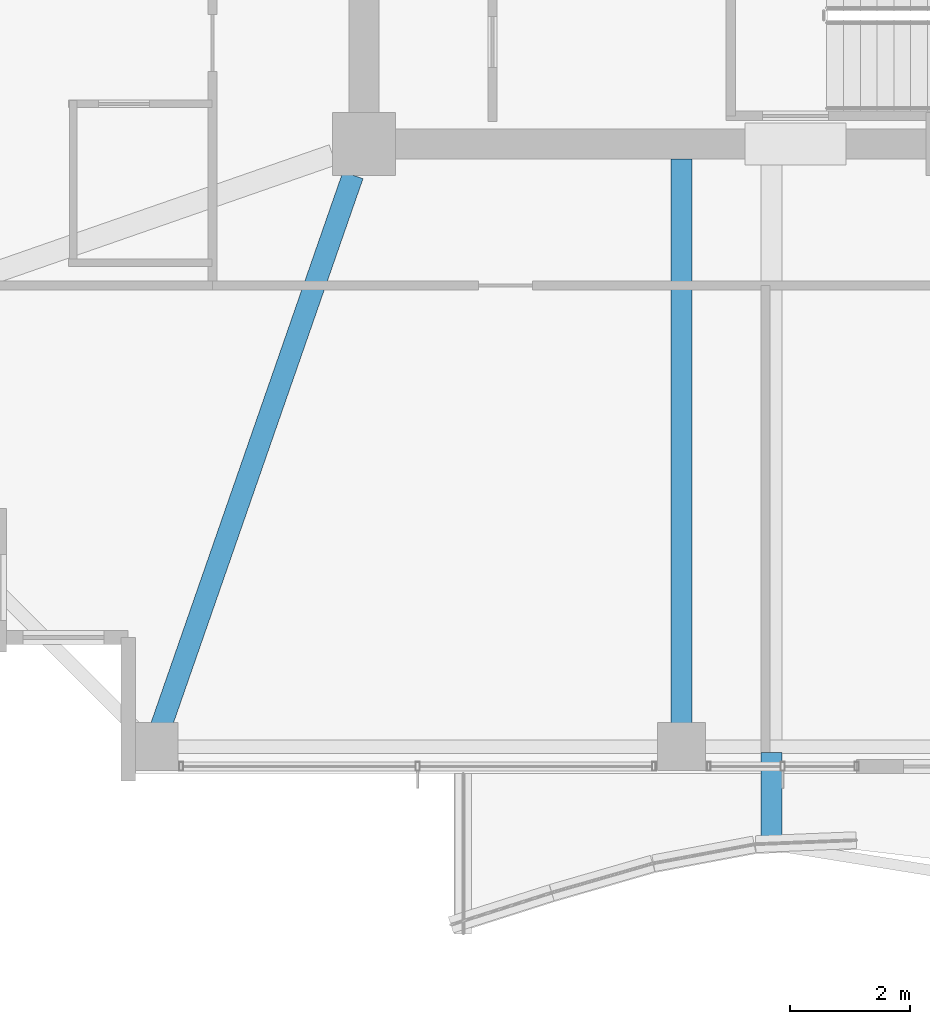
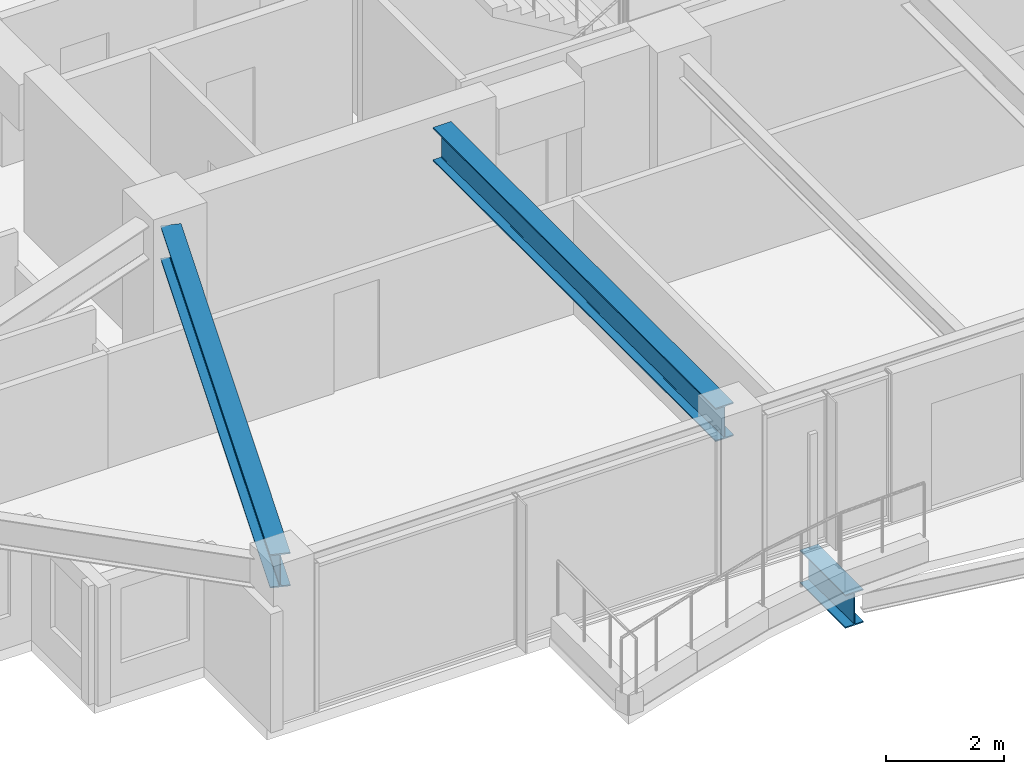
# One storey, part 5 of 36: 3 beams.
"""IFC4 building model written with IfcOpenShell, lengths in metres."""

from ifc_helpers import new_model, si_unit, direction, frame, origin, origin_2d, place, context, subcontext, project, spatial, i_section, extrude, material, material_profile, profile_set, type_object, element, save


model = new_model("IFC4")

# Units and contexts
model_context = context("Model", 3, precision=1e-05, world=origin(), true_north=direction((0.0, 1.0)))
body_context = subcontext(model_context, "Body", "Model", "MODEL_VIEW")
ifc_project = project(units=[si_unit("LENGTHUNIT", "METRE"), si_unit("AREAUNIT", "SQUARE_METRE"), si_unit("VOLUMEUNIT", "CUBIC_METRE"), si_unit("PLANEANGLEUNIT", "RADIAN"), si_unit("MASSUNIT", "GRAM", prefix="KILO")], contexts=[model_context])

# Site, building, storey
site_placement = place(None, origin())
site = spatial("IfcSite", under=ifc_project, at=site_placement, CompositionType="ELEMENT")
building_placement = place(site_placement, origin())
building = spatial("IfcBuilding", under=site, at=building_placement, Name="Kolvaren Belvedere", CompositionType="ELEMENT")
storey_placement = place(building_placement, frame((0.0, 0.0, 193.199951171875)))
storey = spatial("IfcBuildingStorey", under=building, at=storey_placement, Name="L56", CompositionType="ELEMENT", Elevation=193.199951171875)

# Beams
ifc_material_1 = material(Name="Structural steel ASTM A992 Grade 50", Category="steel")
ifc_material_profile_1 = material_profile(ifc_material_1, i_section(OverallWidth=0.35498046875, OverallDepth=0.696044921875, WebThickness=0.015380859375, FlangeThickness=0.02490234375, FilletRadius=0.02197265625, at=origin_2d()), Name="W27X146")
ifc_profile_set_1 = profile_set([ifc_material_profile_1], Name="Structural steel ASTM A992 Grade 50")
beam_type_1 = type_object("IfcBeamType", Name="BM-CANT-BAL", PredefinedType="BEAM", material=ifc_profile_set_1)
beam_1_placement = place(storey_placement, frame((-3.10009765625, -20.044921875, -0.56787109375), z_axis=(0.0, -1.0, 0.0), x_axis=(1.0, 0.0, 0.0)))
element("IfcBeam", 1, at=beam_1_placement, inside=storey, type_object=beam_type_1, Name="L56 Planted Balcony Cantilever BAL-S-1", PredefinedType="BEAM", context=body_context, shape_type="SweptSolid", body=[
    extrude(i_section(OverallWidth=0.35498046875, OverallDepth=0.696044921875, WebThickness=0.015380859375, FlangeThickness=0.02490234375, FilletRadius=0.02197265625, at=origin_2d()), origin(), (0.0, 0.0, 1.0), 1.54052734375),
])
ifc_material_2 = material(Name="Structural steel ASTM A992 Grade 50", Category="steel")
ifc_material_profile_2 = material_profile(ifc_material_2, i_section(OverallWidth=0.35498046875, OverallDepth=0.696044921875, WebThickness=0.015380859375, FlangeThickness=0.02490234375, FilletRadius=0.02197265625, at=origin_2d()), Name="W27X146")
ifc_profile_set_2 = profile_set([ifc_material_profile_2], Name="Structural steel ASTM A992 Grade 50")
beam_type_2 = type_object("IfcBeamType", Name="BM-GIRD-W27X146", PredefinedType="BEAM", material=ifc_profile_set_2)
beam_2_placement = place(storey_placement, frame((-4.60009765625, -10.14990234375, 2.73193359375), z_axis=(0.0, -1.0, 0.0), x_axis=(1.0, 0.0, 0.0)))
element("IfcBeam", 2, at=beam_2_placement, inside=storey, type_object=beam_type_2, Name="L56 South Radial Girder M", PredefinedType="BEAM", context=body_context, shape_type="SweptSolid", body=[
    extrude(i_section(OverallWidth=0.35498046875, OverallDepth=0.696044921875, WebThickness=0.015380859375, FlangeThickness=0.02490234375, FilletRadius=0.02197265625, at=origin_2d()), origin(), (0.0, 0.0, 1.0), 9.6201171875),
])
beam_3_placement = place(storey_placement, frame((-10.080810546875, -10.41943359375, 2.73193359375), z_axis=(-0.328898147971, -0.944365399758, 0.0), x_axis=(0.944365399758, -0.328898147971, 0.0)))
element("IfcBeam", 3, at=beam_3_placement, inside=storey, type_object=beam_type_2, Name="L56 Corner Core-to-Perimeter Girder CC1-S1", PredefinedType="BEAM", context=body_context, shape_type="SweptSolid", body=[
    extrude(i_section(OverallWidth=0.35498046875, OverallDepth=0.696044921875, WebThickness=0.015380859375, FlangeThickness=0.02490234375, FilletRadius=0.02197265625, at=origin_2d()), origin(), (0.0, 0.0, 1.0), 9.931884765625),
])

save(model, "model.ifc")
